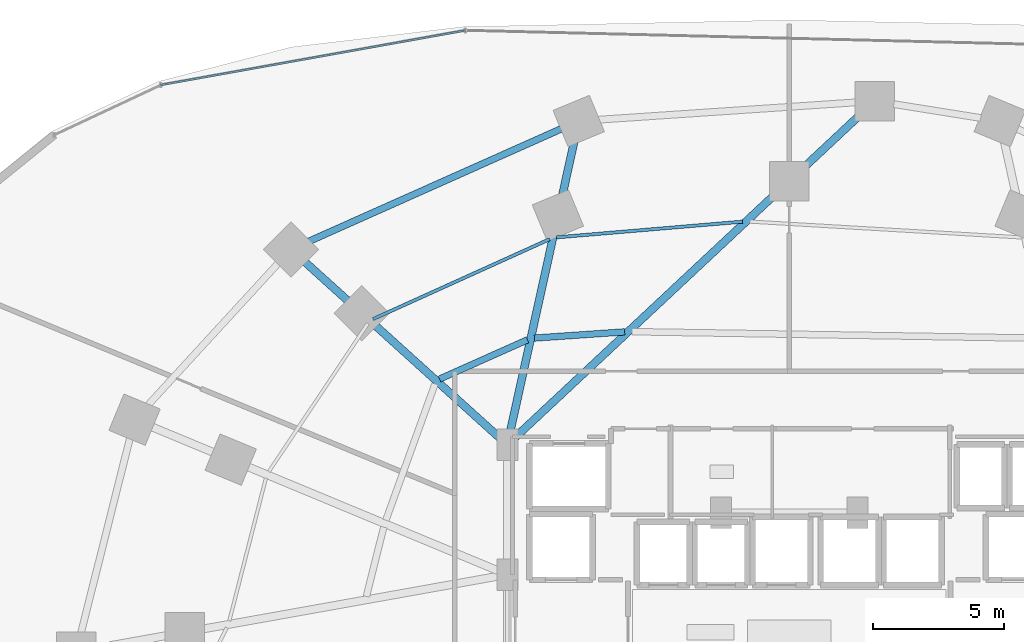
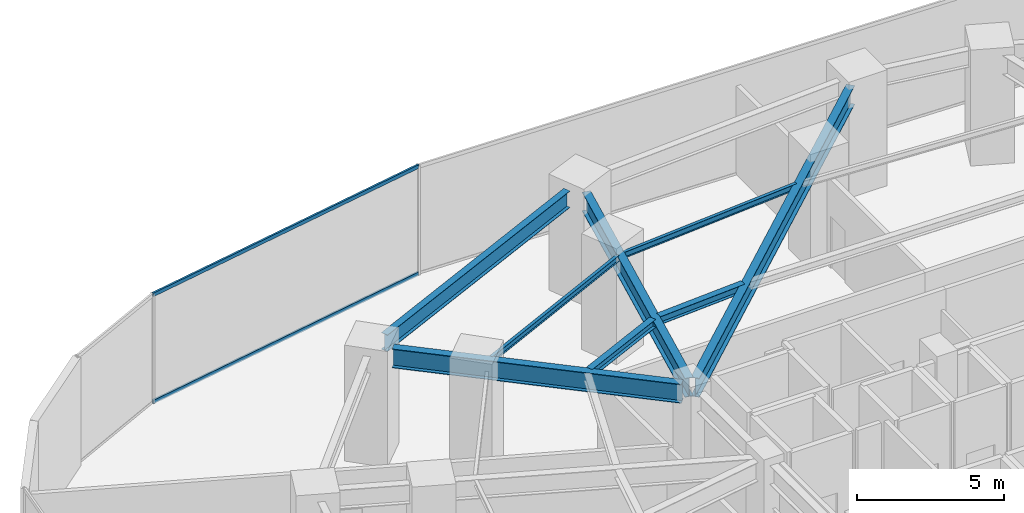
# One storey, part 14 of 27: 8 beams, 2 members, 1 element without a shape of its own.
"""IFC4 building model written with IfcOpenShell, lengths in metres."""

from ifc_helpers import new_model, si_unit, direction, frame, origin, origin_2d, place, context, subcontext, project, spatial, hollow_rectangle, i_section, extrude, material, material_profile, profile_set, type_object, element, aggregate, save


model = new_model("IFC4")

# Units and contexts
model_context = context("Model", 3, precision=1e-05, world=origin(), true_north=direction((0.0, 1.0)))
body_context = subcontext(model_context, "Body", "Model", "MODEL_VIEW")
ifc_project = project(units=[si_unit("LENGTHUNIT", "METRE"), si_unit("AREAUNIT", "SQUARE_METRE"), si_unit("VOLUMEUNIT", "CUBIC_METRE"), si_unit("PLANEANGLEUNIT", "RADIAN"), si_unit("MASSUNIT", "GRAM", prefix="KILO")], contexts=[model_context])

# Site, building, storey
site_placement = place(None, origin())
site = spatial("IfcSite", under=ifc_project, at=site_placement, CompositionType="ELEMENT")
building_placement = place(site_placement, origin())
building = spatial("IfcBuilding", under=site, at=building_placement, Name="Vorneva Point Tower", CompositionType="ELEMENT")
storey_placement = place(building_placement, frame((0.0, 0.0, 4.800048828125)))
storey = spatial("IfcBuildingStorey", under=building, at=storey_placement, Name="L01", CompositionType="ELEMENT", Elevation=4.800048828125)

# Beams
ifc_material_1 = material(Name="Steel S355", Category="steel")
ifc_material_profile_1 = material_profile(ifc_material_1, i_section(OverallWidth=0.300048828125, OverallDepth=0.7880859375, WebThickness=0.014404296875, FlangeThickness=0.02197265625, at=origin_2d()), Name="80Sh1")
ifc_profile_set_1 = profile_set([ifc_material_profile_1], Name="Steel S355")
beam_type_1 = type_object("IfcBeamType", Name="BM-GRD-80Sh1", PredefinedType="USERDEFINED", material=ifc_profile_set_1)
beam_1_placement = place(storey_placement, frame((40.72607421875, 45.74853515625, 4.0859375), z_axis=(-0.730489653378, -0.682923763174, 0.0), x_axis=(0.682923763174, -0.730489653378, 0.0)))
element("IfcBeam", 1, at=beam_1_placement, inside=storey, type_object=beam_type_1, Name="L01 Radial Primary Girder 05", ObjectType="GIRDER", PredefinedType="USERDEFINED", context=body_context, shape_type="SweptSolid", body=[
    extrude(i_section(OverallWidth=0.300048828125, OverallDepth=0.7880859375, WebThickness=0.014404296875, FlangeThickness=0.02197265625, at=origin_2d()), origin(), (0.0, 0.0, 1.0), 18.108154296875),
])
beam_2_placement = place(storey_placement, frame((29.814697265625, 44.77099609375, 4.0859375), z_axis=(-0.215510345791, -0.976501557017, 0.0), x_axis=(0.976501557017, -0.215510345791, 0.0)))
element("IfcBeam", 2, at=beam_2_placement, inside=storey, type_object=beam_type_1, Name="L01 Radial Primary Girder 06", ObjectType="GIRDER", PredefinedType="USERDEFINED", context=body_context, shape_type="SweptSolid", body=[
    extrude(i_section(OverallWidth=0.300048828125, OverallDepth=0.7880859375, WebThickness=0.014404296875, FlangeThickness=0.02197265625, at=origin_2d()), origin(), (0.0, 0.0, 1.0), 11.560791015625),
])
beam_3_placement = place(storey_placement, frame((19.55029296875, 40.10498046875, 4.0859375), z_axis=(0.742089370901, -0.67030095151, 0.0), x_axis=(0.67030095151, 0.742089370901, 0.0)))
element("IfcBeam", 3, at=beam_3_placement, inside=storey, type_object=beam_type_1, Name="L01 Radial Primary Girder 07", ObjectType="GIRDER", PredefinedType="USERDEFINED", context=body_context, shape_type="SweptSolid", body=[
    extrude(i_section(OverallWidth=0.300048828125, OverallDepth=0.7880859375, WebThickness=0.014404296875, FlangeThickness=0.02197265625, at=origin_2d()), origin(), (0.0, 0.0, 1.0), 10.035888671875),
])
ifc_material_profile_2 = material_profile(ifc_material_1, i_section(OverallWidth=0.1240234375, OverallDepth=0.248046875, WebThickness=0.0048828125, FlangeThickness=0.008056640625, at=origin_2d()), Name="25B1")
ifc_profile_set_2 = profile_set([ifc_material_profile_2], Name="Steel S355")
beam_type_2 = type_object("IfcBeamType", Name="BM-JST-25B1", PredefinedType="JOIST", material=ifc_profile_set_2)
beam_4_placement = place(storey_placement, frame((36.223388671875, 41.656005859375, 4.35595703125), z_axis=(-0.996454814483, -0.084129677839, 0.0), x_axis=(0.084129677839, -0.996454814483, 0.0)))
element("IfcBeam", 4, at=beam_4_placement, inside=storey, type_object=beam_type_2, Name="L01 Secondary Floor Beam 1.05", PredefinedType="JOIST", context=body_context, shape_type="SweptSolid", body=[
    extrude(i_section(OverallWidth=0.1240234375, OverallDepth=0.248046875, WebThickness=0.0048828125, FlangeThickness=0.008056640625, at=origin_2d()), origin(), (0.0, 0.0, 1.0), 7.118408203125),
])
beam_5_placement = place(storey_placement, frame((28.866943359375, 40.98876953125, 4.35595703125), z_axis=(-0.911060953396, -0.412271681293, 0.0), x_axis=(0.412271681293, -0.911060953396, 0.0)))
element("IfcBeam", 5, at=beam_5_placement, inside=storey, type_object=beam_type_2, Name="L01 Secondary Floor Beam 1.06", PredefinedType="JOIST", context=body_context, shape_type="SweptSolid", body=[
    extrude(i_section(OverallWidth=0.1240234375, OverallDepth=0.248046875, WebThickness=0.0048828125, FlangeThickness=0.008056640625, at=origin_2d()), origin(), (0.0, 0.0, 1.0), 7.390380859375),
])
ifc_material_profile_3 = material_profile(ifc_material_1, i_section(OverallWidth=0.2490234375, OverallDepth=0.333984375, WebThickness=0.008056640625, FlangeThickness=0.010986328125, at=origin_2d()), Name="35Sh1")
ifc_profile_set_3 = profile_set([ifc_material_profile_3], Name="Steel S355")
beam_type_3 = type_object("IfcBeamType", Name="BM-SEC-35Sh1", PredefinedType="BEAM", material=ifc_profile_set_3)
beam_6_placement = place(storey_placement, frame((31.725830078125, 37.45361328125, 4.31298828125), z_axis=(-0.997642369869, -0.068627267483, 0.0), x_axis=(0.068627267483, -0.997642369869, 0.0)))
element("IfcBeam", 6, at=beam_6_placement, inside=storey, type_object=beam_type_3, Name="L01 Secondary Floor Beam 2.05", PredefinedType="BEAM", context=body_context, shape_type="SweptSolid", body=[
    extrude(i_section(OverallWidth=0.2490234375, OverallDepth=0.333984375, WebThickness=0.008056640625, FlangeThickness=0.010986328125, at=origin_2d()), origin(), (0.0, 0.0, 1.0), 3.45068359375),
])
beam_7_placement = place(storey_placement, frame((28.01953125, 37.151123046875, 4.31298828125), z_axis=(-0.913141417525, -0.407642921685, 0.0), x_axis=(0.407642921685, -0.913141417525, 0.0)))
element("IfcBeam", 7, at=beam_7_placement, inside=storey, type_object=beam_type_3, Name="L01 Secondary Floor Beam 2.06", PredefinedType="BEAM", context=body_context, shape_type="SweptSolid", body=[
    extrude(i_section(OverallWidth=0.2490234375, OverallDepth=0.333984375, WebThickness=0.008056640625, FlangeThickness=0.010986328125, at=origin_2d()), origin(), (0.0, 0.0, 1.0), 3.672607421875),
])
ifc_material_profile_4 = material_profile(ifc_material_1, i_section(OverallWidth=0.260009765625, OverallDepth=0.69091796875, WebThickness=0.011962890625, FlangeThickness=0.015380859375, at=origin_2d()), Name="70B1")
ifc_profile_set_4 = profile_set([ifc_material_profile_4], Name="Steel S355")
beam_type_4 = type_object("IfcBeamType", Name="BM-SPN-70B1", PredefinedType="SPANDREL", material=ifc_profile_set_4)
beam_8_placement = place(storey_placement, frame((29.302490234375, 45.1923828125, 4.134521484375), z_axis=(-0.91332481678, -0.407231849263, 0.0), x_axis=(0.407231849263, -0.91332481678, 0.0)))
element("IfcBeam", 8, at=beam_8_placement, inside=storey, type_object=beam_type_4, Name="L01 Perimeter Spandrel Ring Beam 06", PredefinedType="SPANDREL", context=body_context, shape_type="SweptSolid", body=[
    extrude(i_section(OverallWidth=0.260009765625, OverallDepth=0.69091796875, WebThickness=0.011962890625, FlangeThickness=0.015380859375, at=origin_2d()), origin(), (0.0, 0.0, 1.0), 10.54248046875),
])

# Curtain wall, members
ifc_material_2 = material(Name="Pale anodised aluminium", Category="aluminium")
curtain_wall_type = type_object("IfcCurtainWallType", Name="CW-POD-SYS", PredefinedType="NOTDEFINED", material=ifc_material_2)
curtain_wall_placement = place(storey_placement, origin())
curtain_wall = element("IfcCurtainWall", 9, at=curtain_wall_placement, inside=storey, type_object=curtain_wall_type, Name="L01 Unitised Curtain Wall CW-L01-R02", PredefinedType="NOTDEFINED")
ifc_material_profile_5 = material_profile(ifc_material_2, hollow_rectangle(XDim=0.074951171875, YDim=0.14990234375, WallThickness=0.00390625, at=origin_2d()), Name="AL-TRN 150x75x4")
ifc_profile_set_5 = profile_set([ifc_material_profile_5], Name="Pale anodised aluminium")
member_type = type_object("IfcMemberType", Name="CW-TRN-150", PredefinedType="USERDEFINED", material=ifc_profile_set_5)
member_1_placement = place(storey_placement, frame((25.642822265625, 48.943603515625, 0.02001953125), z_axis=(-0.984322588516, -0.176377554515, 0.0), x_axis=(0.176377554515, -0.984322588516, 0.0)))
member_1 = element("IfcMember", 10, at=member_1_placement, type_object=member_type, Name="CW-L01-R02 Transom 02.1", ObjectType="TRANSOM", PredefinedType="USERDEFINED", context=body_context, shape_type="SweptSolid", body=[
    extrude(hollow_rectangle(XDim=0.074951171875, YDim=0.14990234375, WallThickness=0.00390625, at=origin_2d()), origin(), (0.0, 0.0, 1.0), 11.79052734375),
])
member_2_placement = place(storey_placement, frame((25.642822265625, 48.943603515625, 4.4599609375), z_axis=(-0.984322588516, -0.176377554515, 0.0), x_axis=(0.176377554515, -0.984322588516, 0.0)))
member_2 = element("IfcMember", 11, at=member_2_placement, type_object=member_type, Name="CW-L01-R02 Transom 02.2", ObjectType="TRANSOM", PredefinedType="USERDEFINED", context=body_context, shape_type="SweptSolid", body=[
    extrude(hollow_rectangle(XDim=0.074951171875, YDim=0.14990234375, WallThickness=0.00390625, at=origin_2d()), origin(), (0.0, 0.0, 1.0), 11.79052734375),
])
aggregate(curtain_wall, [member_1, member_2])

save(model, "model.ifc")
